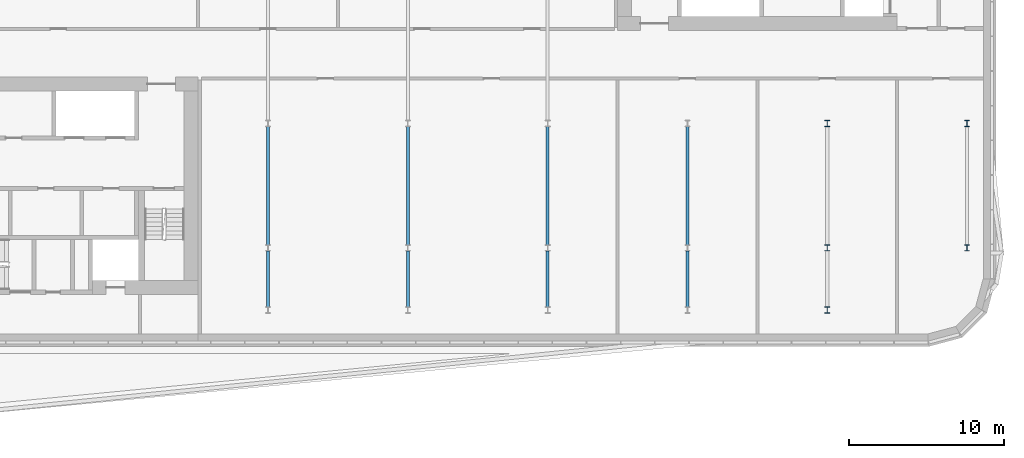
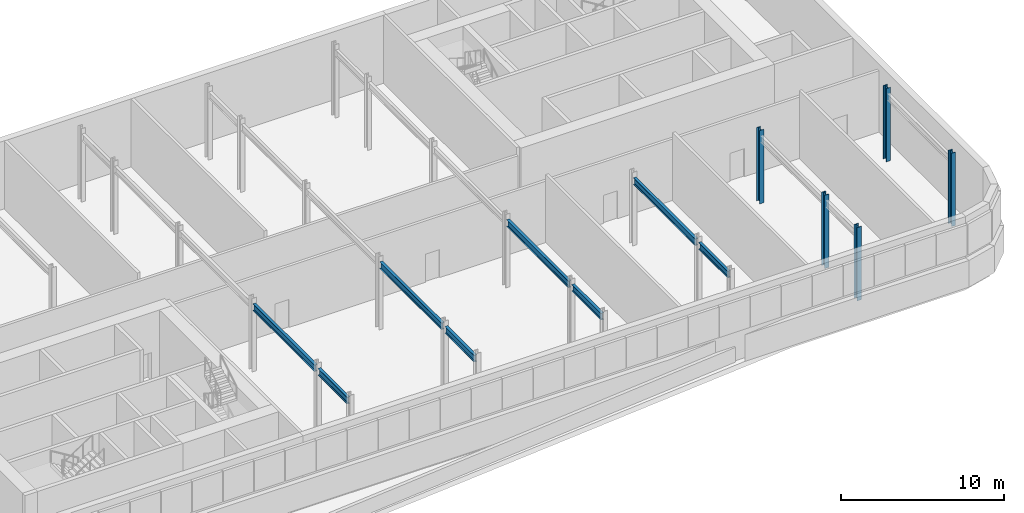
# One storey, part 4 of 16: 8 beams, 5 columns.
"""IFC4 building model written with IfcOpenShell, lengths in metres."""

from ifc_helpers import new_model, si_unit, direction, frame, origin, origin_2d, place, context, subcontext, project, spatial, i_section, extrude, material, material_profile, profile_set, type_object, element, save


model = new_model("IFC4")

# Units and contexts
model_context = context("Model", 3, precision=1e-05, world=origin(), true_north=direction((0.0, 1.0)))
body_context = subcontext(model_context, "Body", "Model", "MODEL_VIEW")
ifc_project = project(units=[si_unit("LENGTHUNIT", "METRE"), si_unit("AREAUNIT", "SQUARE_METRE"), si_unit("VOLUMEUNIT", "CUBIC_METRE"), si_unit("PLANEANGLEUNIT", "RADIAN"), si_unit("MASSUNIT", "GRAM", prefix="KILO")], contexts=[model_context])

# Site, building, storey
site_placement = place(None, origin())
site = spatial("IfcSite", under=ifc_project, at=site_placement, CompositionType="ELEMENT")
building_placement = place(site_placement, origin())
building = spatial("IfcBuilding", under=site, at=building_placement, Name="Kajstack Hotel Tower", CompositionType="ELEMENT")
storey_placement = place(building_placement, frame((0.0, 0.0, 308.10009765625)))
storey = spatial("IfcBuildingStorey", under=building, at=storey_placement, Name="L78", CompositionType="ELEMENT", Elevation=308.10009765625)

# Columns
ifc_material = material(Name="Steel S355J2", Category="steel")
ifc_material_profile_1 = material_profile(ifc_material, i_section(OverallWidth=0.300048828125, OverallDepth=0.39990234375, WebThickness=0.013427734375, FlangeThickness=0.02392578125, FilletRadius=0.027099609375, at=origin_2d()), Name="HEB 400")
ifc_profile_set_1 = profile_set([ifc_material_profile_1], Name="Steel S355J2")
column_type = type_object("IfcColumnType", Name="CC1 HEB 400", PredefinedType="COLUMN", material=ifc_profile_set_1)
for number, where, z_axis, x_axis, name in (
    (1, (27.0, -16.5, 0.0), (0.0, 0.0, 1.0), (1.0, 0.0, 0.0), "S-col-c-L78-+27p0-16p5"),
    (2, (27.0, -12.5, 0.0), (0.0, 0.0, 1.0), (1.0, 0.0, 0.0), "S-col-c-L78-+27p0-12p5"),
    (3, (27.0, -4.5, 0.0), (0.0, 0.0, 1.0), (1.0, 0.0, 0.0), "S-col-c-L78-+27p0-4p5"),
    (4, (36.0, -12.5, 0.0), (0.0, 0.0, 1.0), (1.0, 0.0, 0.0), "S-col-c-L78-+36p0-12p5"),
    (5, (36.0, -4.5, 0.0), (0.0, 0.0, 1.0), (1.0, 0.0, 0.0), "S-col-c-L78-+36p0-4p5"),
):
    element("IfcColumn", number, at=place(storey_placement, frame(where, z_axis=z_axis, x_axis=x_axis)), inside=storey, type_object=column_type, Name=name, PredefinedType="COLUMN", context=body_context, shape_type="SweptSolid", body=[
        extrude(i_section(OverallWidth=0.300048828125, OverallDepth=0.39990234375, WebThickness=0.013427734375, FlangeThickness=0.02392578125, FilletRadius=0.027099609375, at=origin_2d()), origin(), (0.0, 0.0, 1.0), 5.5),
    ])

# Beams
ifc_material_profile_2 = material_profile(ifc_material, i_section(OverallWidth=0.199951171875, OverallDepth=0.5, WebThickness=0.01025390625, FlangeThickness=0.01611328125, FilletRadius=0.02099609375, at=origin_2d()), Name="IPE 500")
ifc_profile_set_2 = profile_set([ifc_material_profile_2], Name="Steel S355J2")
beam_type = type_object("IfcBeamType", Name="CF1 IPE 500", PredefinedType="BEAM", material=ifc_profile_set_2)
beam_1_placement = place(storey_placement, frame((-9.0, -16.300048828125, 4.849853515625), z_axis=(0.0, 1.0, 0.0), x_axis=(-1.0, 0.0, 0.0)))
element("IfcBeam", 6, at=beam_1_placement, inside=storey, type_object=beam_type, Name="S-beam-c-L78--9p0-1", PredefinedType="BEAM", context=body_context, shape_type="SweptSolid", body=[
    extrude(i_section(OverallWidth=0.199951171875, OverallDepth=0.5, WebThickness=0.01025390625, FlangeThickness=0.01611328125, FilletRadius=0.02099609375, at=origin_2d()), origin(), (0.0, 0.0, 1.0), 3.60009765625),
])
beam_2_placement = place(storey_placement, frame((-9.0, -12.300048828125, 4.849853515625), z_axis=(0.0, 1.0, 0.0), x_axis=(-1.0, 0.0, 0.0)))
element("IfcBeam", 7, at=beam_2_placement, inside=storey, type_object=beam_type, Name="S-beam-c-L78--9p0-2", PredefinedType="BEAM", context=body_context, shape_type="SweptSolid", body=[
    extrude(i_section(OverallWidth=0.199951171875, OverallDepth=0.5, WebThickness=0.01025390625, FlangeThickness=0.01611328125, FilletRadius=0.02099609375, at=origin_2d()), origin(), (0.0, 0.0, 1.0), 7.60009765625),
])
beam_3_placement = place(storey_placement, frame((0.0, -16.300048828125, 4.849853515625), z_axis=(0.0, 1.0, 0.0), x_axis=(-1.0, 0.0, 0.0)))
element("IfcBeam", 8, at=beam_3_placement, inside=storey, type_object=beam_type, Name="S-beam-c-L78-+0p0-1", PredefinedType="BEAM", context=body_context, shape_type="SweptSolid", body=[
    extrude(i_section(OverallWidth=0.199951171875, OverallDepth=0.5, WebThickness=0.01025390625, FlangeThickness=0.01611328125, FilletRadius=0.02099609375, at=origin_2d()), origin(), (0.0, 0.0, 1.0), 3.60009765625),
])
beam_4_placement = place(storey_placement, frame((0.0, -12.300048828125, 4.849853515625), z_axis=(0.0, 1.0, 0.0), x_axis=(-1.0, 0.0, 0.0)))
element("IfcBeam", 9, at=beam_4_placement, inside=storey, type_object=beam_type, Name="S-beam-c-L78-+0p0-2", PredefinedType="BEAM", context=body_context, shape_type="SweptSolid", body=[
    extrude(i_section(OverallWidth=0.199951171875, OverallDepth=0.5, WebThickness=0.01025390625, FlangeThickness=0.01611328125, FilletRadius=0.02099609375, at=origin_2d()), origin(), (0.0, 0.0, 1.0), 7.60009765625),
])
beam_5_placement = place(storey_placement, frame((9.0, -16.300048828125, 4.849853515625), z_axis=(0.0, 1.0, 0.0), x_axis=(-1.0, 0.0, 0.0)))
element("IfcBeam", 10, at=beam_5_placement, inside=storey, type_object=beam_type, Name="S-beam-c-L78-+9p0-1", PredefinedType="BEAM", context=body_context, shape_type="SweptSolid", body=[
    extrude(i_section(OverallWidth=0.199951171875, OverallDepth=0.5, WebThickness=0.01025390625, FlangeThickness=0.01611328125, FilletRadius=0.02099609375, at=origin_2d()), origin(), (0.0, 0.0, 1.0), 3.60009765625),
])
beam_6_placement = place(storey_placement, frame((9.0, -12.300048828125, 4.849853515625), z_axis=(0.0, 1.0, 0.0), x_axis=(-1.0, 0.0, 0.0)))
element("IfcBeam", 11, at=beam_6_placement, inside=storey, type_object=beam_type, Name="S-beam-c-L78-+9p0-2", PredefinedType="BEAM", context=body_context, shape_type="SweptSolid", body=[
    extrude(i_section(OverallWidth=0.199951171875, OverallDepth=0.5, WebThickness=0.01025390625, FlangeThickness=0.01611328125, FilletRadius=0.02099609375, at=origin_2d()), origin(), (0.0, 0.0, 1.0), 7.60009765625),
])
beam_7_placement = place(storey_placement, frame((18.0, -16.300048828125, 4.849853515625), z_axis=(0.0, 1.0, 0.0), x_axis=(-1.0, 0.0, 0.0)))
element("IfcBeam", 12, at=beam_7_placement, inside=storey, type_object=beam_type, Name="S-beam-c-L78-+18p0-1", PredefinedType="BEAM", context=body_context, shape_type="SweptSolid", body=[
    extrude(i_section(OverallWidth=0.199951171875, OverallDepth=0.5, WebThickness=0.01025390625, FlangeThickness=0.01611328125, FilletRadius=0.02099609375, at=origin_2d()), origin(), (0.0, 0.0, 1.0), 3.60009765625),
])
beam_8_placement = place(storey_placement, frame((18.0, -12.300048828125, 4.849853515625), z_axis=(0.0, 1.0, 0.0), x_axis=(-1.0, 0.0, 0.0)))
element("IfcBeam", 13, at=beam_8_placement, inside=storey, type_object=beam_type, Name="S-beam-c-L78-+18p0-2", PredefinedType="BEAM", context=body_context, shape_type="SweptSolid", body=[
    extrude(i_section(OverallWidth=0.199951171875, OverallDepth=0.5, WebThickness=0.01025390625, FlangeThickness=0.01611328125, FilletRadius=0.02099609375, at=origin_2d()), origin(), (0.0, 0.0, 1.0), 7.60009765625),
])

save(model, "model.ifc")
